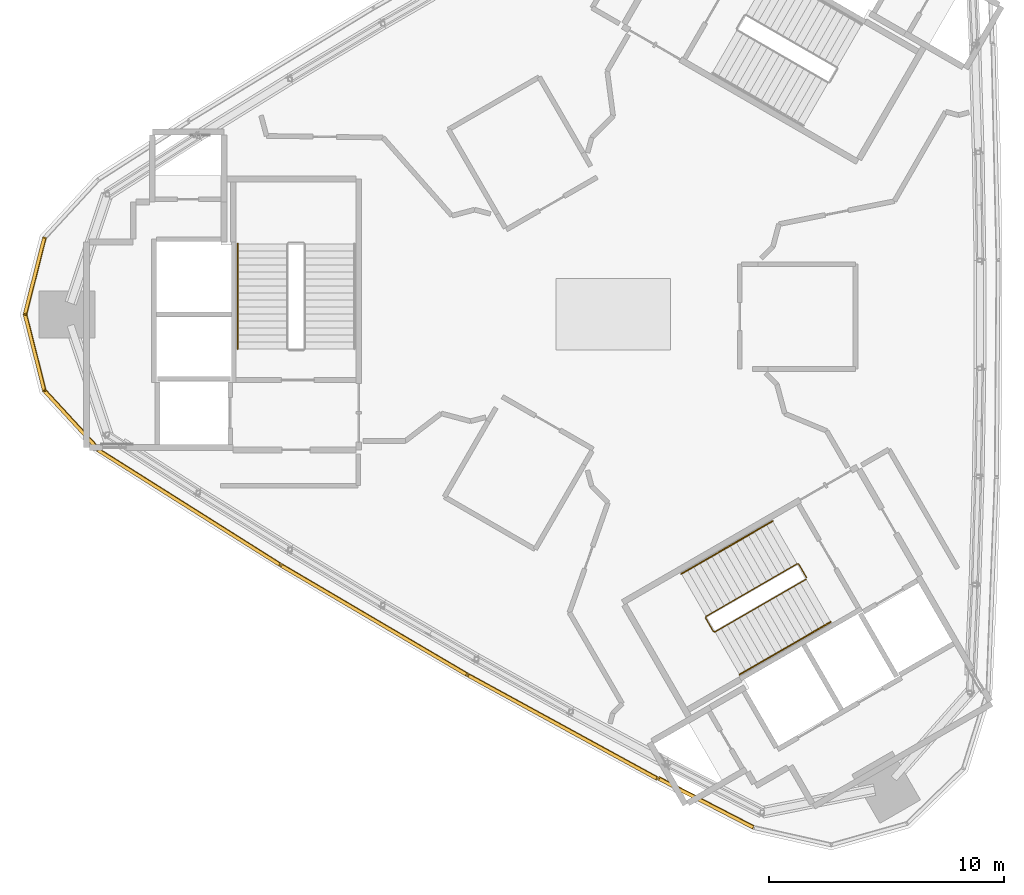
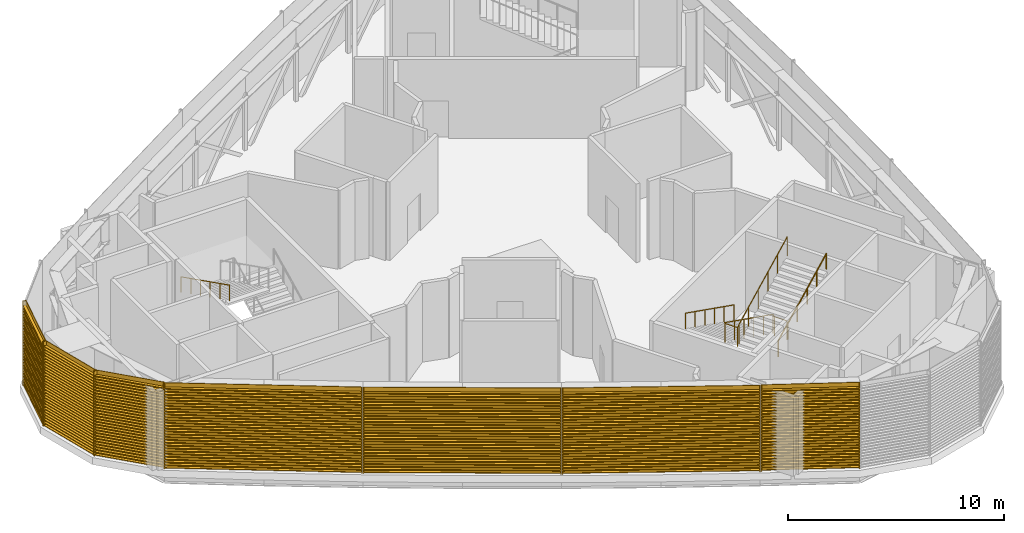
# One storey, part 19 of 21: 7 coverings, 4 railings.
"""IFC4 building model written with IfcOpenShell, lengths in metres."""

from ifc_helpers import new_model, si_unit, direction, frame, frame_2d, origin, origin_2d, place, context, subcontext, project, spatial, rectangle, circle, extrude, source, transform, mapped, material, type_object, element, save


model = new_model("IFC4")

# Units and contexts
model_context = context("Model", 3, precision=1e-05, world=origin(), true_north=direction((0.0, 1.0)))
body_context = subcontext(model_context, "Body", "Model", "MODEL_VIEW")
ifc_project = project(units=[si_unit("LENGTHUNIT", "METRE"), si_unit("AREAUNIT", "SQUARE_METRE"), si_unit("VOLUMEUNIT", "CUBIC_METRE"), si_unit("PLANEANGLEUNIT", "RADIAN"), si_unit("MASSUNIT", "GRAM", prefix="KILO")], contexts=[model_context])

# Site, building, storey
site_placement = place(None, origin())
site = spatial("IfcSite", under=ifc_project, at=site_placement, CompositionType="ELEMENT")
building_placement = place(site_placement, origin())
building = spatial("IfcBuilding", under=site, at=building_placement, Name="Tamra Quay Hotel Tower", CompositionType="ELEMENT")
storey_placement = place(building_placement, frame((0.0, 0.0, 301.800048828125)))
storey = spatial("IfcBuildingStorey", under=building, at=storey_placement, Name="L76", CompositionType="ELEMENT", Elevation=301.800048828125)

# Railings
ifc_material_1 = material(Name="Stair guard 1100")
railing_type_1 = type_object("IfcRailingType", Name="Stair guard 1100", PredefinedType="GUARDRAIL", material=ifc_material_1)
railing_1_placement = place(storey_placement, frame((8.245849609375, -11.221923828125, 0.0)))
element("IfcRailing", 1, at=railing_1_placement, inside=storey, type_object=railing_type_1, Name="GR", PredefinedType="GUARDRAIL", context=body_context, shape_type="SweptSolid", body=[
    extrude(circle(Radius=0.02392578125, at=origin_2d()), frame((0.0, 0.0, 1.076171875), z_axis=(-0.500043078269, 0.866000531106, 0.0), x_axis=(-0.866000531106, -0.500043078269, 0.0)), (0.0, 0.0, 1.0), 0.6591796875),
    extrude(circle(Radius=0.02392578125, at=origin_2d()), frame((-0.32958984375, 0.57080078125, 1.076171875), z_axis=(-0.41238007866, 0.110458949641, 0.904290601062), x_axis=(-0.258736085224, -0.965948051503, 0.0)), (0.0, 0.0, 1.0), 0.165771484375),
    extrude(circle(Radius=0.02392578125, at=origin_2d()), frame((-0.39794921875, 0.589111328125, 1.22607421875), z_axis=(-0.774075664405, -0.446909609502, 0.448417959844), x_axis=(0.499997328569, -0.86602694613, 0.0)), (0.0, 0.0, 1.0), 5.017578125),
    extrude(circle(Radius=0.02392578125, at=origin_2d()), frame((-4.281982421875, -1.6533203125, 3.47607421875), z_axis=(-0.258736085224, -0.965948051503, 0.0), x_axis=(0.965948051503, -0.258736085224, 0.0)), (0.0, 0.0, 1.0), 0.07080078125),
    extrude(circle(Radius=0.02392578125, at=origin_2d()), frame((-4.30029296875, -1.7216796875, 3.47607421875), z_axis=(0.499765215335, -0.866160914346, 0.0), x_axis=(0.866160914346, 0.499765215335, 0.0)), (0.0, 0.0, 1.0), 0.658935546875),
    extrude(circle(Radius=0.02392578125, at=origin_2d()), frame((-3.970947265625, -2.29248046875, 3.47607421875), z_axis=(0.411831509231, -0.110312011401, 0.90455849349), x_axis=(0.258736085224, 0.965948051503, 0.0)), (0.0, 0.0, 1.0), 0.166015625),
    extrude(circle(Radius=0.02392578125, at=origin_2d()), frame((-3.902587890625, -2.310791015625, 3.6259765625), z_axis=(0.774078333318, 0.446931714007, 0.448391321173), x_axis=(-0.500014583029, 0.866016984105, 0.0)), (0.0, 0.0, 1.0), 5.017822265625),
    extrude(circle(Radius=0.02099609375, at=origin_2d()), origin(), (0.0, 0.0, 1.0), 1.052001953125),
    extrude(circle(Radius=0.02099609375, at=origin_2d()), frame((-0.32958984375, 0.57080078125, 0.0)), (0.0, 0.0, 1.0), 1.052001953125),
    extrude(circle(Radius=0.02099609375, at=origin_2d()), frame((-0.39794921875, 0.589111328125, 0.14990234375)), (0.0, 0.0, 1.0), 1.052001953125),
    extrude(circle(Radius=0.02099609375, at=origin_2d()), frame((-1.1748046875, 0.140625, 0.599853515625)), (0.0, 0.0, 1.0), 1.052001953125),
    extrude(circle(Radius=0.02099609375, at=origin_2d()), frame((-1.95166015625, -0.307861328125, 1.0498046875)), (0.0, 0.0, 1.0), 1.052001953125),
    extrude(circle(Radius=0.02099609375, at=origin_2d()), frame((-2.728271484375, -0.75634765625, 1.5)), (0.0, 0.0, 1.0), 1.052001953125),
    extrude(circle(Radius=0.02099609375, at=origin_2d()), frame((-3.505126953125, -1.204833984375, 1.949951171875)), (0.0, 0.0, 1.0), 1.052001953125),
    extrude(circle(Radius=0.02099609375, at=origin_2d()), frame((-4.281982421875, -1.6533203125, 2.39990234375)), (0.0, 0.0, 1.0), 1.052001953125),
    extrude(circle(Radius=0.02099609375, at=origin_2d()), frame((-4.30029296875, -1.7216796875, 2.39990234375)), (0.0, 0.0, 1.0), 1.052001953125),
    extrude(circle(Radius=0.02099609375, at=origin_2d()), frame((-3.970947265625, -2.29248046875, 2.39990234375)), (0.0, 0.0, 1.0), 1.052001953125),
    extrude(circle(Radius=0.02099609375, at=origin_2d()), frame((-3.902587890625, -2.310791015625, 2.550048828125)), (0.0, 0.0, 1.0), 1.052001953125),
    extrude(circle(Radius=0.02099609375, at=origin_2d()), frame((-3.125732421875, -1.8623046875, 3.0)), (0.0, 0.0, 1.0), 1.052001953125),
    extrude(circle(Radius=0.02099609375, at=origin_2d()), frame((-2.348876953125, -1.413818359375, 3.449951171875)), (0.0, 0.0, 1.0), 1.052001953125),
    extrude(circle(Radius=0.02099609375, at=origin_2d()), frame((-1.572021484375, -0.965087890625, 3.900146484375)), (0.0, 0.0, 1.0), 1.052001953125),
    extrude(circle(Radius=0.02099609375, at=origin_2d()), frame((-0.795166015625, -0.5166015625, 4.35009765625)), (0.0, 0.0, 1.0), 1.052001953125),
    extrude(circle(Radius=0.02099609375, at=origin_2d()), frame((-0.018310546875, -0.068115234375, 4.800048828125)), (0.0, 0.0, 1.0), 1.052001953125),
])
ifc_material_2 = material(Name="Stair handrail 900")
railing_type_2 = type_object("IfcRailingType", Name="Stair handrail 900", PredefinedType="HANDRAIL", material=ifc_material_2)
railing_2_placement = place(storey_placement, frame((-15.9912109375, 3.0048828125, 2.550048828125)))
element("IfcRailing", 2, at=railing_2_placement, inside=storey, type_object=railing_type_2, Name="HR", PredefinedType="HANDRAIL", context=body_context, shape_type="SweptSolid", body=[
    extrude(circle(Radius=0.02392578125, at=origin_2d()), frame((0.0, 0.0, 0.8759765625), z_axis=(0.0, -0.893823034308, 0.448419873935), x_axis=(1.0, 0.0, 0.0)), (0.0, 0.0, 1.0), 5.017578125),
    extrude(circle(Radius=0.02099609375, at=origin_2d()), origin(), (0.0, 0.0, 1.0), 0.851806640625),
    extrude(circle(Radius=0.02099609375, at=origin_2d()), frame((0.0, -0.89697265625, 0.449951171875)), (0.0, 0.0, 1.0), 0.851806640625),
    extrude(circle(Radius=0.02099609375, at=origin_2d()), frame((0.0, -1.7939453125, 0.89990234375)), (0.0, 0.0, 1.0), 0.851806640625),
    extrude(circle(Radius=0.02099609375, at=origin_2d()), frame((0.0, -2.69091796875, 1.35009765625)), (0.0, 0.0, 1.0), 0.851806640625),
    extrude(circle(Radius=0.02099609375, at=origin_2d()), frame((0.0, -3.587890625, 1.800048828125)), (0.0, 0.0, 1.0), 0.851806640625),
    extrude(circle(Radius=0.02099609375, at=origin_2d()), frame((0.0, -4.48486328125, 2.25)), (0.0, 0.0, 1.0), 0.851806640625),
])
railing_3_placement = place(storey_placement, frame((6.7978515625, -8.814208984375, 0.14990234375)))
element("IfcRailing", 3, at=railing_3_placement, inside=storey, type_object=railing_type_2, Name="HR", PredefinedType="HANDRAIL", context=body_context, shape_type="SweptSolid", body=[
    extrude(circle(Radius=0.02392578125, at=origin_2d()), frame((0.0, 0.0, 0.8759765625), z_axis=(-0.774075664405, -0.446909609502, 0.448417959844), x_axis=(0.499997328569, -0.86602694613, 0.0)), (0.0, 0.0, 1.0), 5.017578125),
    extrude(circle(Radius=0.02099609375, at=origin_2d()), origin(), (0.0, 0.0, 1.0), 0.851806640625),
    extrude(circle(Radius=0.02099609375, at=origin_2d()), frame((-0.77685546875, -0.448486328125, 0.449951171875)), (0.0, 0.0, 1.0), 0.851806640625),
    extrude(circle(Radius=0.02099609375, at=origin_2d()), frame((-1.5537109375, -0.89697265625, 0.89990234375)), (0.0, 0.0, 1.0), 0.851806640625),
    extrude(circle(Radius=0.02099609375, at=origin_2d()), frame((-2.330322265625, -1.345458984375, 1.35009765625)), (0.0, 0.0, 1.0), 0.851806640625),
    extrude(circle(Radius=0.02099609375, at=origin_2d()), frame((-3.107177734375, -1.7939453125, 1.800048828125)), (0.0, 0.0, 1.0), 0.851806640625),
    extrude(circle(Radius=0.02099609375, at=origin_2d()), frame((-3.884033203125, -2.242431640625, 2.25)), (0.0, 0.0, 1.0), 0.851806640625),
])
railing_4_placement = place(storey_placement, frame((5.393310546875, -15.351318359375, 2.550048828125)))
element("IfcRailing", 4, at=railing_4_placement, inside=storey, type_object=railing_type_2, Name="HR", PredefinedType="HANDRAIL", context=body_context, shape_type="SweptSolid", body=[
    extrude(circle(Radius=0.02392578125, at=origin_2d()), frame((0.0, 0.0, 0.8759765625), z_axis=(0.774075664405, 0.446909609502, 0.448417959844), x_axis=(-0.499997328569, 0.86602694613, 0.0)), (0.0, 0.0, 1.0), 5.017578125),
    extrude(circle(Radius=0.02099609375, at=origin_2d()), origin(), (0.0, 0.0, 1.0), 0.851806640625),
    extrude(circle(Radius=0.02099609375, at=origin_2d()), frame((0.77685546875, 0.448486328125, 0.449951171875)), (0.0, 0.0, 1.0), 0.851806640625),
    extrude(circle(Radius=0.02099609375, at=origin_2d()), frame((1.5537109375, 0.89697265625, 0.89990234375)), (0.0, 0.0, 1.0), 0.851806640625),
    extrude(circle(Radius=0.02099609375, at=origin_2d()), frame((2.330322265625, 1.345458984375, 1.35009765625)), (0.0, 0.0, 1.0), 0.851806640625),
    extrude(circle(Radius=0.02099609375, at=origin_2d()), frame((3.107177734375, 1.7939453125, 1.800048828125)), (0.0, 0.0, 1.0), 0.851806640625),
    extrude(circle(Radius=0.02099609375, at=origin_2d()), frame((3.884033203125, 2.242431640625, 2.25)), (0.0, 0.0, 1.0), 0.851806640625),
])

# Coverings
ifc_material_3 = material(Name="Terracotta louvre panel", Category="masonry")
covering_type = type_object("IfcCoveringType", Name="PLANT LOUVRE H4800", PredefinedType="USERDEFINED", material=ifc_material_3)
shared_shape_1 = source(origin(), body_context, "Body", "SweptSolid", [
    extrude(rectangle(XDim=4.60009765625, YDim=0.030029296875, at=frame_2d((2.300048828125, 0.01513671875))), frame((-2.300048828125, -0.030029296875, 0.0)), (0.0, 0.0, 1.0), 4.800048828125),
    extrude(rectangle(XDim=0.050048828125, YDim=0.139892578125, at=frame_2d((0.02490234375, 0.06982421875))), frame((-2.300048828125, -0.169921875, 0.0)), (0.0, 0.0, 1.0), 4.800048828125),
    extrude(rectangle(XDim=0.050048828125, YDim=0.139892578125, at=frame_2d((0.02490234375, 0.06982421875))), frame((2.25, -0.169921875, 0.0)), (0.0, 0.0, 1.0), 4.800048828125),
    extrude(rectangle(XDim=4.5, YDim=0.139892578125, at=frame_2d((2.25, 0.06982421875))), frame((-2.25, -0.169921875, 0.050048828125)), (0.0, 0.0, 1.0), 0.034912109375),
    extrude(rectangle(XDim=4.5, YDim=0.139892578125, at=frame_2d((2.25, 0.06982421875))), frame((-2.25, -0.169921875, 0.2099609375)), (0.0, 0.0, 1.0), 0.034912109375),
    extrude(rectangle(XDim=4.5, YDim=0.139892578125, at=frame_2d((2.25, 0.06982421875))), frame((-2.25, -0.169921875, 0.3701171875)), (0.0, 0.0, 1.0), 0.034912109375),
    extrude(rectangle(XDim=4.5, YDim=0.139892578125, at=frame_2d((2.25, 0.06982421875))), frame((-2.25, -0.169921875, 0.530029296875)), (0.0, 0.0, 1.0), 0.034912109375),
    extrude(rectangle(XDim=4.5, YDim=0.139892578125, at=frame_2d((2.25, 0.06982421875))), frame((-2.25, -0.169921875, 0.68994140625)), (0.0, 0.0, 1.0), 0.034912109375),
    extrude(rectangle(XDim=4.5, YDim=0.139892578125, at=frame_2d((2.25, 0.06982421875))), frame((-2.25, -0.169921875, 0.85009765625)), (0.0, 0.0, 1.0), 0.034912109375),
    extrude(rectangle(XDim=4.5, YDim=0.139892578125, at=frame_2d((2.25, 0.06982421875))), frame((-2.25, -0.169921875, 1.010009765625)), (0.0, 0.0, 1.0), 0.034912109375),
    extrude(rectangle(XDim=4.5, YDim=0.139892578125, at=frame_2d((2.25, 0.06982421875))), frame((-2.25, -0.169921875, 1.169921875)), (0.0, 0.0, 1.0), 0.034912109375),
    extrude(rectangle(XDim=4.5, YDim=0.139892578125, at=frame_2d((2.25, 0.06982421875))), frame((-2.25, -0.169921875, 1.330078125)), (0.0, 0.0, 1.0), 0.034912109375),
    extrude(rectangle(XDim=4.5, YDim=0.139892578125, at=frame_2d((2.25, 0.06982421875))), frame((-2.25, -0.169921875, 1.489990234375)), (0.0, 0.0, 1.0), 0.034912109375),
    extrude(rectangle(XDim=4.5, YDim=0.139892578125, at=frame_2d((2.25, 0.06982421875))), frame((-2.25, -0.169921875, 1.64990234375)), (0.0, 0.0, 1.0), 0.034912109375),
    extrude(rectangle(XDim=4.5, YDim=0.139892578125, at=frame_2d((2.25, 0.06982421875))), frame((-2.25, -0.169921875, 1.81005859375)), (0.0, 0.0, 1.0), 0.034912109375),
    extrude(rectangle(XDim=4.5, YDim=0.139892578125, at=frame_2d((2.25, 0.06982421875))), frame((-2.25, -0.169921875, 1.969970703125)), (0.0, 0.0, 1.0), 0.034912109375),
    extrude(rectangle(XDim=4.5, YDim=0.139892578125, at=frame_2d((2.25, 0.06982421875))), frame((-2.25, -0.169921875, 2.1298828125)), (0.0, 0.0, 1.0), 0.034912109375),
    extrude(rectangle(XDim=4.5, YDim=0.139892578125, at=frame_2d((2.25, 0.06982421875))), frame((-2.25, -0.169921875, 2.2900390625)), (0.0, 0.0, 1.0), 0.034912109375),
    extrude(rectangle(XDim=4.5, YDim=0.139892578125, at=frame_2d((2.25, 0.06982421875))), frame((-2.25, -0.169921875, 2.449951171875)), (0.0, 0.0, 1.0), 0.034912109375),
    extrude(rectangle(XDim=4.5, YDim=0.139892578125, at=frame_2d((2.25, 0.06982421875))), frame((-2.25, -0.169921875, 2.610107421875)), (0.0, 0.0, 1.0), 0.034912109375),
    extrude(rectangle(XDim=4.5, YDim=0.139892578125, at=frame_2d((2.25, 0.06982421875))), frame((-2.25, -0.169921875, 2.77001953125)), (0.0, 0.0, 1.0), 0.034912109375),
    extrude(rectangle(XDim=4.5, YDim=0.139892578125, at=frame_2d((2.25, 0.06982421875))), frame((-2.25, -0.169921875, 2.929931640625)), (0.0, 0.0, 1.0), 0.034912109375),
    extrude(rectangle(XDim=4.5, YDim=0.139892578125, at=frame_2d((2.25, 0.06982421875))), frame((-2.25, -0.169921875, 3.090087890625)), (0.0, 0.0, 1.0), 0.034912109375),
    extrude(rectangle(XDim=4.5, YDim=0.139892578125, at=frame_2d((2.25, 0.06982421875))), frame((-2.25, -0.169921875, 3.25)), (0.0, 0.0, 1.0), 0.034912109375),
    extrude(rectangle(XDim=4.5, YDim=0.139892578125, at=frame_2d((2.25, 0.06982421875))), frame((-2.25, -0.169921875, 3.409912109375)), (0.0, 0.0, 1.0), 0.034912109375),
    extrude(rectangle(XDim=4.5, YDim=0.139892578125, at=frame_2d((2.25, 0.06982421875))), frame((-2.25, -0.169921875, 3.570068359375)), (0.0, 0.0, 1.0), 0.034912109375),
    extrude(rectangle(XDim=4.5, YDim=0.139892578125, at=frame_2d((2.25, 0.06982421875))), frame((-2.25, -0.169921875, 3.72998046875)), (0.0, 0.0, 1.0), 0.034912109375),
    extrude(rectangle(XDim=4.5, YDim=0.139892578125, at=frame_2d((2.25, 0.06982421875))), frame((-2.25, -0.169921875, 3.889892578125)), (0.0, 0.0, 1.0), 0.034912109375),
    extrude(rectangle(XDim=4.5, YDim=0.139892578125, at=frame_2d((2.25, 0.06982421875))), frame((-2.25, -0.169921875, 4.050048828125)), (0.0, 0.0, 1.0), 0.034912109375),
    extrude(rectangle(XDim=4.5, YDim=0.139892578125, at=frame_2d((2.25, 0.06982421875))), frame((-2.25, -0.169921875, 4.2099609375)), (0.0, 0.0, 1.0), 0.034912109375),
    extrude(rectangle(XDim=4.5, YDim=0.139892578125, at=frame_2d((2.25, 0.06982421875))), frame((-2.25, -0.169921875, 4.3701171875)), (0.0, 0.0, 1.0), 0.034912109375),
    extrude(rectangle(XDim=4.5, YDim=0.139892578125, at=frame_2d((2.25, 0.06982421875))), frame((-2.25, -0.169921875, 4.530029296875)), (0.0, 0.0, 1.0), 0.034912109375),
])
covering_placement = place(storey_placement, frame((4.01123046875, -20.74560546875, 0.0), z_axis=(0.0, 0.0, 1.0), x_axis=(0.888486270479, -0.458903200218, 0.0)))
element("IfcCovering", 5, at=covering_placement, inside=storey, type_object=covering_type, Name="Plant louvre L76.SW.f06", ObjectType="LOUVER", PredefinedType="USERDEFINED", context=body_context, shape_type="MappedRepresentation", body=[
    mapped(shared_shape_1, transform((0.0, 0.0, 0.0), scale=1.0)),
])
shared_shape_2 = source(origin(), body_context, "Body", "SweptSolid", [
    extrude(rectangle(XDim=9.219970703125, YDim=0.030029296875, at=frame_2d((4.60986328125, 0.01513671875))), frame((-4.610107421875, -0.030029296875, 0.0)), (0.0, 0.0, 1.0), 4.800048828125),
    extrude(rectangle(XDim=0.050048828125, YDim=0.139892578125, at=frame_2d((0.02490234375, 0.06982421875))), frame((-4.610107421875, -0.169921875, 0.0)), (0.0, 0.0, 1.0), 4.800048828125),
    extrude(rectangle(XDim=0.050048828125, YDim=0.139892578125, at=frame_2d((0.02490234375, 0.06982421875))), frame((4.56005859375, -0.169921875, 0.0)), (0.0, 0.0, 1.0), 4.800048828125),
    extrude(rectangle(XDim=9.1201171875, YDim=0.139892578125, at=frame_2d((4.56005859375, 0.06982421875))), frame((-4.56005859375, -0.169921875, 0.050048828125)), (0.0, 0.0, 1.0), 0.034912109375),
    extrude(rectangle(XDim=9.1201171875, YDim=0.139892578125, at=frame_2d((4.56005859375, 0.06982421875))), frame((-4.56005859375, -0.169921875, 0.2099609375)), (0.0, 0.0, 1.0), 0.034912109375),
    extrude(rectangle(XDim=9.1201171875, YDim=0.139892578125, at=frame_2d((4.56005859375, 0.06982421875))), frame((-4.56005859375, -0.169921875, 0.3701171875)), (0.0, 0.0, 1.0), 0.034912109375),
    extrude(rectangle(XDim=9.1201171875, YDim=0.139892578125, at=frame_2d((4.56005859375, 0.06982421875))), frame((-4.56005859375, -0.169921875, 0.530029296875)), (0.0, 0.0, 1.0), 0.034912109375),
    extrude(rectangle(XDim=9.1201171875, YDim=0.139892578125, at=frame_2d((4.56005859375, 0.06982421875))), frame((-4.56005859375, -0.169921875, 0.68994140625)), (0.0, 0.0, 1.0), 0.034912109375),
    extrude(rectangle(XDim=9.1201171875, YDim=0.139892578125, at=frame_2d((4.56005859375, 0.06982421875))), frame((-4.56005859375, -0.169921875, 0.85009765625)), (0.0, 0.0, 1.0), 0.034912109375),
    extrude(rectangle(XDim=9.1201171875, YDim=0.139892578125, at=frame_2d((4.56005859375, 0.06982421875))), frame((-4.56005859375, -0.169921875, 1.010009765625)), (0.0, 0.0, 1.0), 0.034912109375),
    extrude(rectangle(XDim=9.1201171875, YDim=0.139892578125, at=frame_2d((4.56005859375, 0.06982421875))), frame((-4.56005859375, -0.169921875, 1.169921875)), (0.0, 0.0, 1.0), 0.034912109375),
    extrude(rectangle(XDim=9.1201171875, YDim=0.139892578125, at=frame_2d((4.56005859375, 0.06982421875))), frame((-4.56005859375, -0.169921875, 1.330078125)), (0.0, 0.0, 1.0), 0.034912109375),
    extrude(rectangle(XDim=9.1201171875, YDim=0.139892578125, at=frame_2d((4.56005859375, 0.06982421875))), frame((-4.56005859375, -0.169921875, 1.489990234375)), (0.0, 0.0, 1.0), 0.034912109375),
    extrude(rectangle(XDim=9.1201171875, YDim=0.139892578125, at=frame_2d((4.56005859375, 0.06982421875))), frame((-4.56005859375, -0.169921875, 1.64990234375)), (0.0, 0.0, 1.0), 0.034912109375),
    extrude(rectangle(XDim=9.1201171875, YDim=0.139892578125, at=frame_2d((4.56005859375, 0.06982421875))), frame((-4.56005859375, -0.169921875, 1.81005859375)), (0.0, 0.0, 1.0), 0.034912109375),
    extrude(rectangle(XDim=9.1201171875, YDim=0.139892578125, at=frame_2d((4.56005859375, 0.06982421875))), frame((-4.56005859375, -0.169921875, 1.969970703125)), (0.0, 0.0, 1.0), 0.034912109375),
    extrude(rectangle(XDim=9.1201171875, YDim=0.139892578125, at=frame_2d((4.56005859375, 0.06982421875))), frame((-4.56005859375, -0.169921875, 2.1298828125)), (0.0, 0.0, 1.0), 0.034912109375),
    extrude(rectangle(XDim=9.1201171875, YDim=0.139892578125, at=frame_2d((4.56005859375, 0.06982421875))), frame((-4.56005859375, -0.169921875, 2.2900390625)), (0.0, 0.0, 1.0), 0.034912109375),
    extrude(rectangle(XDim=9.1201171875, YDim=0.139892578125, at=frame_2d((4.56005859375, 0.06982421875))), frame((-4.56005859375, -0.169921875, 2.449951171875)), (0.0, 0.0, 1.0), 0.034912109375),
    extrude(rectangle(XDim=9.1201171875, YDim=0.139892578125, at=frame_2d((4.56005859375, 0.06982421875))), frame((-4.56005859375, -0.169921875, 2.610107421875)), (0.0, 0.0, 1.0), 0.034912109375),
    extrude(rectangle(XDim=9.1201171875, YDim=0.139892578125, at=frame_2d((4.56005859375, 0.06982421875))), frame((-4.56005859375, -0.169921875, 2.77001953125)), (0.0, 0.0, 1.0), 0.034912109375),
    extrude(rectangle(XDim=9.1201171875, YDim=0.139892578125, at=frame_2d((4.56005859375, 0.06982421875))), frame((-4.56005859375, -0.169921875, 2.929931640625)), (0.0, 0.0, 1.0), 0.034912109375),
    extrude(rectangle(XDim=9.1201171875, YDim=0.139892578125, at=frame_2d((4.56005859375, 0.06982421875))), frame((-4.56005859375, -0.169921875, 3.090087890625)), (0.0, 0.0, 1.0), 0.034912109375),
    extrude(rectangle(XDim=9.1201171875, YDim=0.139892578125, at=frame_2d((4.56005859375, 0.06982421875))), frame((-4.56005859375, -0.169921875, 3.25)), (0.0, 0.0, 1.0), 0.034912109375),
    extrude(rectangle(XDim=9.1201171875, YDim=0.139892578125, at=frame_2d((4.56005859375, 0.06982421875))), frame((-4.56005859375, -0.169921875, 3.409912109375)), (0.0, 0.0, 1.0), 0.034912109375),
    extrude(rectangle(XDim=9.1201171875, YDim=0.139892578125, at=frame_2d((4.56005859375, 0.06982421875))), frame((-4.56005859375, -0.169921875, 3.570068359375)), (0.0, 0.0, 1.0), 0.034912109375),
    extrude(rectangle(XDim=9.1201171875, YDim=0.139892578125, at=frame_2d((4.56005859375, 0.06982421875))), frame((-4.56005859375, -0.169921875, 3.72998046875)), (0.0, 0.0, 1.0), 0.034912109375),
    extrude(rectangle(XDim=9.1201171875, YDim=0.139892578125, at=frame_2d((4.56005859375, 0.06982421875))), frame((-4.56005859375, -0.169921875, 3.889892578125)), (0.0, 0.0, 1.0), 0.034912109375),
    extrude(rectangle(XDim=9.1201171875, YDim=0.139892578125, at=frame_2d((4.56005859375, 0.06982421875))), frame((-4.56005859375, -0.169921875, 4.050048828125)), (0.0, 0.0, 1.0), 0.034912109375),
    extrude(rectangle(XDim=9.1201171875, YDim=0.139892578125, at=frame_2d((4.56005859375, 0.06982421875))), frame((-4.56005859375, -0.169921875, 4.2099609375)), (0.0, 0.0, 1.0), 0.034912109375),
    extrude(rectangle(XDim=9.1201171875, YDim=0.139892578125, at=frame_2d((4.56005859375, 0.06982421875))), frame((-4.56005859375, -0.169921875, 4.3701171875)), (0.0, 0.0, 1.0), 0.034912109375),
    extrude(rectangle(XDim=9.1201171875, YDim=0.139892578125, at=frame_2d((4.56005859375, 0.06982421875))), frame((-4.56005859375, -0.169921875, 4.530029296875)), (0.0, 0.0, 1.0), 0.034912109375),
])
for number, where, z_axis, x_axis, name in (
    (6, (-18.02880859375, -8.1455078125, 0.0), (0.0, 0.0, 1.0), (0.845848787873, -0.533422747972, 0.0), "Plant louvre L76.SW.f00"),
    (7, (-10.141845703125, -12.948974609375, 0.0), (0.0, 0.0, 1.0), (0.862090863706, -0.506753729849, 0.0), "Plant louvre L76.SW.f02"),
    (8, (-2.10888671875, -17.50341796875, 0.0), (0.0, 0.0, 1.0), (0.877506133155, -0.479565413969, 0.0), "Plant louvre L76.SW.f04"),
):
    element("IfcCovering", number, at=place(storey_placement, frame(where, z_axis=z_axis, x_axis=x_axis)), inside=storey, type_object=covering_type, Name=name, ObjectType="LOUVER", PredefinedType="USERDEFINED", context=body_context, shape_type="MappedRepresentation", body=[
        mapped(shared_shape_2, transform((0.0, 0.0, 0.0), scale=1.0)),
    ])
shared_shape_3 = source(origin(), body_context, "Body", "SweptSolid", [
    extrude(rectangle(XDim=3.43994140625, YDim=0.030029296875, at=frame_2d((1.719970703125, 0.01513671875))), frame((-1.719970703125, -0.030029296875, 0.0)), (0.0, 0.0, 1.0), 4.800048828125),
    extrude(rectangle(XDim=0.050048828125, YDim=0.139892578125, at=frame_2d((0.02490234375, 0.06982421875))), frame((-1.719970703125, -0.169921875, 0.0)), (0.0, 0.0, 1.0), 4.800048828125),
    extrude(rectangle(XDim=0.050048828125, YDim=0.139892578125, at=frame_2d((0.02490234375, 0.06982421875))), frame((1.669921875, -0.169921875, 0.0)), (0.0, 0.0, 1.0), 4.800048828125),
    extrude(rectangle(XDim=3.340087890625, YDim=0.139892578125, at=frame_2d((1.669921875, 0.06982421875))), frame((-1.669921875, -0.169921875, 0.050048828125)), (0.0, 0.0, 1.0), 0.034912109375),
    extrude(rectangle(XDim=3.340087890625, YDim=0.139892578125, at=frame_2d((1.669921875, 0.06982421875))), frame((-1.669921875, -0.169921875, 0.2099609375)), (0.0, 0.0, 1.0), 0.034912109375),
    extrude(rectangle(XDim=3.340087890625, YDim=0.139892578125, at=frame_2d((1.669921875, 0.06982421875))), frame((-1.669921875, -0.169921875, 0.3701171875)), (0.0, 0.0, 1.0), 0.034912109375),
    extrude(rectangle(XDim=3.340087890625, YDim=0.139892578125, at=frame_2d((1.669921875, 0.06982421875))), frame((-1.669921875, -0.169921875, 0.530029296875)), (0.0, 0.0, 1.0), 0.034912109375),
    extrude(rectangle(XDim=3.340087890625, YDim=0.139892578125, at=frame_2d((1.669921875, 0.06982421875))), frame((-1.669921875, -0.169921875, 0.68994140625)), (0.0, 0.0, 1.0), 0.034912109375),
    extrude(rectangle(XDim=3.340087890625, YDim=0.139892578125, at=frame_2d((1.669921875, 0.06982421875))), frame((-1.669921875, -0.169921875, 0.85009765625)), (0.0, 0.0, 1.0), 0.034912109375),
    extrude(rectangle(XDim=3.340087890625, YDim=0.139892578125, at=frame_2d((1.669921875, 0.06982421875))), frame((-1.669921875, -0.169921875, 1.010009765625)), (0.0, 0.0, 1.0), 0.034912109375),
    extrude(rectangle(XDim=3.340087890625, YDim=0.139892578125, at=frame_2d((1.669921875, 0.06982421875))), frame((-1.669921875, -0.169921875, 1.169921875)), (0.0, 0.0, 1.0), 0.034912109375),
    extrude(rectangle(XDim=3.340087890625, YDim=0.139892578125, at=frame_2d((1.669921875, 0.06982421875))), frame((-1.669921875, -0.169921875, 1.330078125)), (0.0, 0.0, 1.0), 0.034912109375),
    extrude(rectangle(XDim=3.340087890625, YDim=0.139892578125, at=frame_2d((1.669921875, 0.06982421875))), frame((-1.669921875, -0.169921875, 1.489990234375)), (0.0, 0.0, 1.0), 0.034912109375),
    extrude(rectangle(XDim=3.340087890625, YDim=0.139892578125, at=frame_2d((1.669921875, 0.06982421875))), frame((-1.669921875, -0.169921875, 1.64990234375)), (0.0, 0.0, 1.0), 0.034912109375),
    extrude(rectangle(XDim=3.340087890625, YDim=0.139892578125, at=frame_2d((1.669921875, 0.06982421875))), frame((-1.669921875, -0.169921875, 1.81005859375)), (0.0, 0.0, 1.0), 0.034912109375),
    extrude(rectangle(XDim=3.340087890625, YDim=0.139892578125, at=frame_2d((1.669921875, 0.06982421875))), frame((-1.669921875, -0.169921875, 1.969970703125)), (0.0, 0.0, 1.0), 0.034912109375),
    extrude(rectangle(XDim=3.340087890625, YDim=0.139892578125, at=frame_2d((1.669921875, 0.06982421875))), frame((-1.669921875, -0.169921875, 2.1298828125)), (0.0, 0.0, 1.0), 0.034912109375),
    extrude(rectangle(XDim=3.340087890625, YDim=0.139892578125, at=frame_2d((1.669921875, 0.06982421875))), frame((-1.669921875, -0.169921875, 2.2900390625)), (0.0, 0.0, 1.0), 0.034912109375),
    extrude(rectangle(XDim=3.340087890625, YDim=0.139892578125, at=frame_2d((1.669921875, 0.06982421875))), frame((-1.669921875, -0.169921875, 2.449951171875)), (0.0, 0.0, 1.0), 0.034912109375),
    extrude(rectangle(XDim=3.340087890625, YDim=0.139892578125, at=frame_2d((1.669921875, 0.06982421875))), frame((-1.669921875, -0.169921875, 2.610107421875)), (0.0, 0.0, 1.0), 0.034912109375),
    extrude(rectangle(XDim=3.340087890625, YDim=0.139892578125, at=frame_2d((1.669921875, 0.06982421875))), frame((-1.669921875, -0.169921875, 2.77001953125)), (0.0, 0.0, 1.0), 0.034912109375),
    extrude(rectangle(XDim=3.340087890625, YDim=0.139892578125, at=frame_2d((1.669921875, 0.06982421875))), frame((-1.669921875, -0.169921875, 2.929931640625)), (0.0, 0.0, 1.0), 0.034912109375),
    extrude(rectangle(XDim=3.340087890625, YDim=0.139892578125, at=frame_2d((1.669921875, 0.06982421875))), frame((-1.669921875, -0.169921875, 3.090087890625)), (0.0, 0.0, 1.0), 0.034912109375),
    extrude(rectangle(XDim=3.340087890625, YDim=0.139892578125, at=frame_2d((1.669921875, 0.06982421875))), frame((-1.669921875, -0.169921875, 3.25)), (0.0, 0.0, 1.0), 0.034912109375),
    extrude(rectangle(XDim=3.340087890625, YDim=0.139892578125, at=frame_2d((1.669921875, 0.06982421875))), frame((-1.669921875, -0.169921875, 3.409912109375)), (0.0, 0.0, 1.0), 0.034912109375),
    extrude(rectangle(XDim=3.340087890625, YDim=0.139892578125, at=frame_2d((1.669921875, 0.06982421875))), frame((-1.669921875, -0.169921875, 3.570068359375)), (0.0, 0.0, 1.0), 0.034912109375),
    extrude(rectangle(XDim=3.340087890625, YDim=0.139892578125, at=frame_2d((1.669921875, 0.06982421875))), frame((-1.669921875, -0.169921875, 3.72998046875)), (0.0, 0.0, 1.0), 0.034912109375),
    extrude(rectangle(XDim=3.340087890625, YDim=0.139892578125, at=frame_2d((1.669921875, 0.06982421875))), frame((-1.669921875, -0.169921875, 3.889892578125)), (0.0, 0.0, 1.0), 0.034912109375),
    extrude(rectangle(XDim=3.340087890625, YDim=0.139892578125, at=frame_2d((1.669921875, 0.06982421875))), frame((-1.669921875, -0.169921875, 4.050048828125)), (0.0, 0.0, 1.0), 0.034912109375),
    extrude(rectangle(XDim=3.340087890625, YDim=0.139892578125, at=frame_2d((1.669921875, 0.06982421875))), frame((-1.669921875, -0.169921875, 4.2099609375)), (0.0, 0.0, 1.0), 0.034912109375),
    extrude(rectangle(XDim=3.340087890625, YDim=0.139892578125, at=frame_2d((1.669921875, 0.06982421875))), frame((-1.669921875, -0.169921875, 4.3701171875)), (0.0, 0.0, 1.0), 0.034912109375),
    extrude(rectangle(XDim=3.340087890625, YDim=0.139892578125, at=frame_2d((1.669921875, 0.06982421875))), frame((-1.669921875, -0.169921875, 4.530029296875)), (0.0, 0.0, 1.0), 0.034912109375),
])
for number, where, z_axis, x_axis, name in (
    (9, (-24.55859375, 1.6044921875, 0.0), (0.0, 0.0, 1.0), (-0.245526933255, -0.969389769415, 0.0), "Plant louvre L76.NW.c01"),
    (10, (-24.55859375, -1.6044921875, 0.0), (0.0, 0.0, 1.0), (0.245526933255, -0.969389769415, 0.0), "Plant louvre L76.NW.c02"),
    (11, (-23.031005859375, -4.4267578125, 0.0), (0.0, 0.0, 1.0), (0.67737593284, -0.735637033875, 0.0), "Plant louvre L76.NW.c03"),
):
    element("IfcCovering", number, at=place(storey_placement, frame(where, z_axis=z_axis, x_axis=x_axis)), inside=storey, type_object=covering_type, Name=name, ObjectType="LOUVER", PredefinedType="USERDEFINED", context=body_context, shape_type="MappedRepresentation", body=[
        mapped(shared_shape_3, transform((0.0, 0.0, 0.0), scale=1.0)),
    ])

save(model, "model.ifc")
